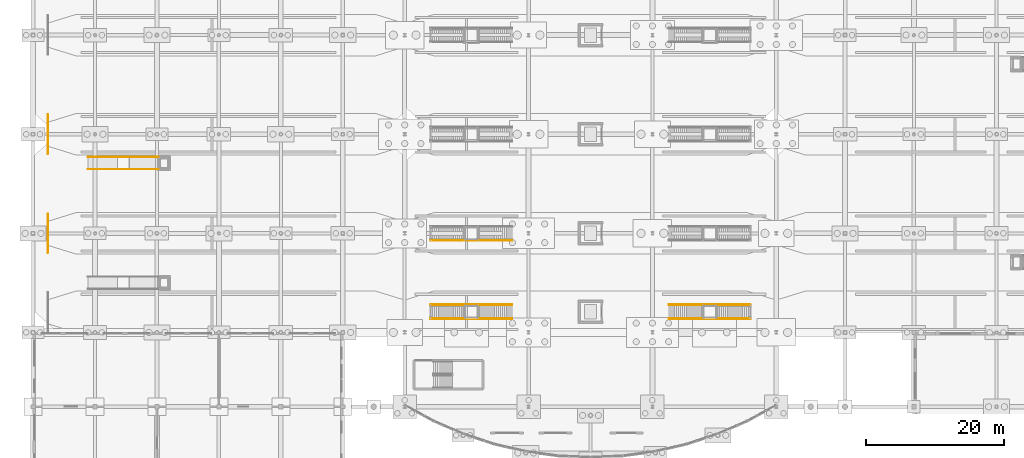
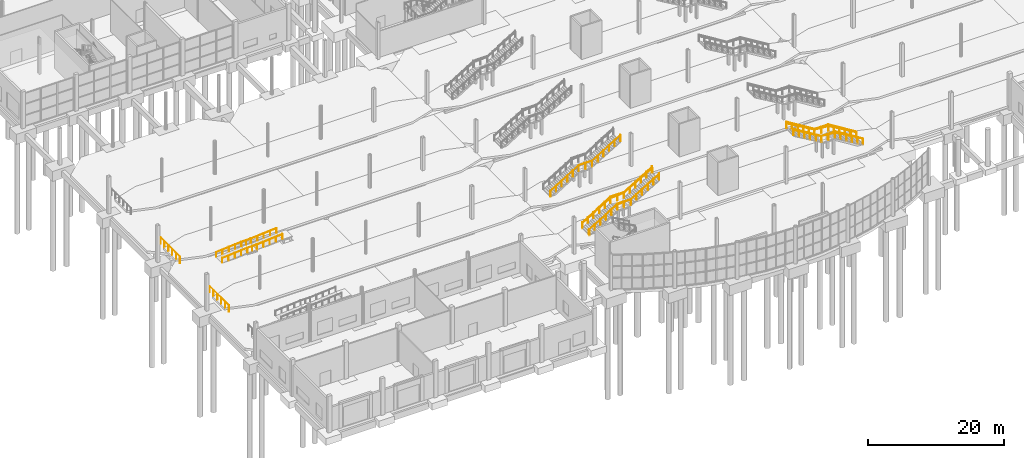
# One storey, part 101 of 115: 13 railings.
"""IFC4 building model written with IfcOpenShell, lengths in metres."""

from ifc_helpers import new_model, si_unit, direction, frame, origin, origin_2d, place, context, subcontext, project, spatial, circle, extrude, material, type_object, element, save


model = new_model("IFC4")

# Units and contexts
model_context = context("Model", 3, precision=1e-05, world=origin(), true_north=direction((0.0, 1.0)))
body_context = subcontext(model_context, "Body", "Model", "MODEL_VIEW")
ifc_project = project(units=[si_unit("LENGTHUNIT", "METRE"), si_unit("AREAUNIT", "SQUARE_METRE"), si_unit("VOLUMEUNIT", "CUBIC_METRE"), si_unit("PLANEANGLEUNIT", "RADIAN"), si_unit("MASSUNIT", "GRAM", prefix="KILO")], contexts=[model_context])

# Site, building, storey
site_placement = place(None, origin())
site = spatial("IfcSite", under=ifc_project, at=site_placement, CompositionType="ELEMENT")
building_placement = place(site_placement, origin())
building = spatial("IfcBuilding", under=site, at=building_placement, Name="Tamarisk Ironworks Central Station", CompositionType="ELEMENT")
storey_placement = place(building_placement, origin())
storey = spatial("IfcBuildingStorey", under=building, at=storey_placement, Name="L00", CompositionType="ELEMENT", Elevation=0.0)

# Railings
ifc_material = material(Name="Brushed stainless steel AISI 316", Category="steel")
railing_type_1 = type_object("IfcRailingType", Name="RL-GUARD-INT", PredefinedType="BALUSTRADE", material=ifc_material)
railing_1_placement = place(storey_placement, frame((57.760009765625, 23.56005859375, 0.719970703125)))
element("IfcRailing", 1, at=railing_1_placement, inside=storey, type_object=railing_type_1, Name="ST-P1A flight guard S", PredefinedType="BALUSTRADE", context=body_context, shape_type="SweptSolid", body=[
    extrude(circle(Radius=0.02392578125, at=origin_2d()), frame((0.0, 0.0, 1.09619140625), z_axis=(0.850803161698, 0.0, 0.525484519319), x_axis=(0.0, 1.0, 0.0)), (0.0, 0.0, 1.0), 5.5947265625),
    extrude(circle(Radius=0.02392578125, at=origin_2d()), frame((4.760009765625, 0.0, 4.0361328125), z_axis=(1.0, 0.0, 0.0), x_axis=(0.0, 1.0, 0.0)), (0.0, 0.0, 1.0), 2.320068359375),
    extrude(circle(Radius=0.02392578125, at=origin_2d()), frame((7.080078125, 0.0, 4.0361328125), z_axis=(0.850783651871, 0.0, 0.525516106041), x_axis=(0.0, 1.0, 0.0)), (0.0, 0.0, 1.0), 5.594970703125),
    extrude(circle(Radius=0.02099609375, at=origin_2d()), origin(), (0.0, 0.0, 1.0), 1.072021484375),
    extrude(circle(Radius=0.02099609375, at=origin_2d()), frame((0.951904296875, 0.0, 0.587890625)), (0.0, 0.0, 1.0), 1.072021484375),
    extrude(circle(Radius=0.02099609375, at=origin_2d()), frame((1.904052734375, 0.0, 1.176025390625)), (0.0, 0.0, 1.0), 1.072021484375),
    extrude(circle(Radius=0.02099609375, at=origin_2d()), frame((2.85595703125, 0.0, 1.763916015625)), (0.0, 0.0, 1.0), 1.072021484375),
    extrude(circle(Radius=0.02099609375, at=origin_2d()), frame((3.80810546875, 0.0, 2.35205078125)), (0.0, 0.0, 1.0), 1.072021484375),
    extrude(circle(Radius=0.02099609375, at=origin_2d()), frame((4.760009765625, 0.0, 2.93994140625)), (0.0, 0.0, 1.0), 1.072021484375),
    extrude(circle(Radius=0.02099609375, at=origin_2d()), frame((5.919921875, 0.0, 2.93994140625)), (0.0, 0.0, 1.0), 1.072021484375),
    extrude(circle(Radius=0.02099609375, at=origin_2d()), frame((7.080078125, 0.0, 2.93994140625)), (0.0, 0.0, 1.0), 1.072021484375),
    extrude(circle(Radius=0.02099609375, at=origin_2d()), frame((8.031982421875, 0.0, 3.528076171875)), (0.0, 0.0, 1.0), 1.072021484375),
    extrude(circle(Radius=0.02099609375, at=origin_2d()), frame((8.984130859375, 0.0, 4.115966796875)), (0.0, 0.0, 1.0), 1.072021484375),
    extrude(circle(Radius=0.02099609375, at=origin_2d()), frame((9.93603515625, 0.0, 4.7041015625)), (0.0, 0.0, 1.0), 1.072021484375),
    extrude(circle(Radius=0.02099609375, at=origin_2d()), frame((10.88818359375, 0.0, 5.2919921875)), (0.0, 0.0, 1.0), 1.072021484375),
    extrude(circle(Radius=0.02099609375, at=origin_2d()), frame((11.840087890625, 0.0, 5.880126953125)), (0.0, 0.0, 1.0), 1.072021484375),
])
railing_2_placement = place(storey_placement, frame((57.760009765625, 25.639892578125, 0.719970703125)))
element("IfcRailing", 2, at=railing_2_placement, inside=storey, type_object=railing_type_1, Name="ST-P1A flight guard N", PredefinedType="BALUSTRADE", context=body_context, shape_type="SweptSolid", body=[
    extrude(circle(Radius=0.02392578125, at=origin_2d()), frame((0.0, 0.0, 1.09619140625), z_axis=(0.850803161698, 0.0, 0.525484519319), x_axis=(0.0, 1.0, 0.0)), (0.0, 0.0, 1.0), 5.5947265625),
    extrude(circle(Radius=0.02392578125, at=origin_2d()), frame((4.760009765625, 0.0, 4.0361328125), z_axis=(1.0, 0.0, 0.0), x_axis=(0.0, 1.0, 0.0)), (0.0, 0.0, 1.0), 2.320068359375),
    extrude(circle(Radius=0.02392578125, at=origin_2d()), frame((7.080078125, 0.0, 4.0361328125), z_axis=(0.850783651871, 0.0, 0.525516106041), x_axis=(0.0, 1.0, 0.0)), (0.0, 0.0, 1.0), 5.594970703125),
    extrude(circle(Radius=0.02099609375, at=origin_2d()), origin(), (0.0, 0.0, 1.0), 1.072021484375),
    extrude(circle(Radius=0.02099609375, at=origin_2d()), frame((0.951904296875, 0.0, 0.587890625)), (0.0, 0.0, 1.0), 1.072021484375),
    extrude(circle(Radius=0.02099609375, at=origin_2d()), frame((1.904052734375, 0.0, 1.176025390625)), (0.0, 0.0, 1.0), 1.072021484375),
    extrude(circle(Radius=0.02099609375, at=origin_2d()), frame((2.85595703125, 0.0, 1.763916015625)), (0.0, 0.0, 1.0), 1.072021484375),
    extrude(circle(Radius=0.02099609375, at=origin_2d()), frame((3.80810546875, 0.0, 2.35205078125)), (0.0, 0.0, 1.0), 1.072021484375),
    extrude(circle(Radius=0.02099609375, at=origin_2d()), frame((4.760009765625, 0.0, 2.93994140625)), (0.0, 0.0, 1.0), 1.072021484375),
    extrude(circle(Radius=0.02099609375, at=origin_2d()), frame((5.919921875, 0.0, 2.93994140625)), (0.0, 0.0, 1.0), 1.072021484375),
    extrude(circle(Radius=0.02099609375, at=origin_2d()), frame((7.080078125, 0.0, 2.93994140625)), (0.0, 0.0, 1.0), 1.072021484375),
    extrude(circle(Radius=0.02099609375, at=origin_2d()), frame((8.031982421875, 0.0, 3.528076171875)), (0.0, 0.0, 1.0), 1.072021484375),
    extrude(circle(Radius=0.02099609375, at=origin_2d()), frame((8.984130859375, 0.0, 4.115966796875)), (0.0, 0.0, 1.0), 1.072021484375),
    extrude(circle(Radius=0.02099609375, at=origin_2d()), frame((9.93603515625, 0.0, 4.7041015625)), (0.0, 0.0, 1.0), 1.072021484375),
    extrude(circle(Radius=0.02099609375, at=origin_2d()), frame((10.88818359375, 0.0, 5.2919921875)), (0.0, 0.0, 1.0), 1.072021484375),
    extrude(circle(Radius=0.02099609375, at=origin_2d()), frame((11.840087890625, 0.0, 5.880126953125)), (0.0, 0.0, 1.0), 1.072021484375),
])
railing_3_placement = place(storey_placement, frame((104.239990234375, 23.56005859375, 0.719970703125)))
element("IfcRailing", 3, at=railing_3_placement, inside=storey, type_object=railing_type_1, Name="ST-P1B flight guard S", PredefinedType="BALUSTRADE", context=body_context, shape_type="SweptSolid", body=[
    extrude(circle(Radius=0.02392578125, at=origin_2d()), frame((0.0, 0.0, 1.09619140625), z_axis=(-0.850803161698, 0.0, 0.525484519319), x_axis=(0.0, -1.0, 0.0)), (0.0, 0.0, 1.0), 5.5947265625),
    extrude(circle(Radius=0.02392578125, at=origin_2d()), frame((-4.760009765625, 0.0, 4.0361328125), z_axis=(-1.0, 0.0, 0.0), x_axis=(0.0, -1.0, 0.0)), (0.0, 0.0, 1.0), 2.320068359375),
    extrude(circle(Radius=0.02392578125, at=origin_2d()), frame((-7.080078125, 0.0, 4.0361328125), z_axis=(-0.850783651871, 0.0, 0.525516106041), x_axis=(0.0, -1.0, 0.0)), (0.0, 0.0, 1.0), 5.594970703125),
    extrude(circle(Radius=0.02099609375, at=origin_2d()), origin(), (0.0, 0.0, 1.0), 1.072021484375),
    extrude(circle(Radius=0.02099609375, at=origin_2d()), frame((-0.951904296875, 0.0, 0.587890625)), (0.0, 0.0, 1.0), 1.072021484375),
    extrude(circle(Radius=0.02099609375, at=origin_2d()), frame((-1.904052734375, 0.0, 1.176025390625)), (0.0, 0.0, 1.0), 1.072021484375),
    extrude(circle(Radius=0.02099609375, at=origin_2d()), frame((-2.85595703125, 0.0, 1.763916015625)), (0.0, 0.0, 1.0), 1.072021484375),
    extrude(circle(Radius=0.02099609375, at=origin_2d()), frame((-3.80810546875, 0.0, 2.35205078125)), (0.0, 0.0, 1.0), 1.072021484375),
    extrude(circle(Radius=0.02099609375, at=origin_2d()), frame((-4.760009765625, 0.0, 2.93994140625)), (0.0, 0.0, 1.0), 1.072021484375),
    extrude(circle(Radius=0.02099609375, at=origin_2d()), frame((-5.919921875, 0.0, 2.93994140625)), (0.0, 0.0, 1.0), 1.072021484375),
    extrude(circle(Radius=0.02099609375, at=origin_2d()), frame((-7.080078125, 0.0, 2.93994140625)), (0.0, 0.0, 1.0), 1.072021484375),
    extrude(circle(Radius=0.02099609375, at=origin_2d()), frame((-8.031982421875, 0.0, 3.528076171875)), (0.0, 0.0, 1.0), 1.072021484375),
    extrude(circle(Radius=0.02099609375, at=origin_2d()), frame((-8.984130859375, 0.0, 4.115966796875)), (0.0, 0.0, 1.0), 1.072021484375),
    extrude(circle(Radius=0.02099609375, at=origin_2d()), frame((-9.93603515625, 0.0, 4.7041015625)), (0.0, 0.0, 1.0), 1.072021484375),
    extrude(circle(Radius=0.02099609375, at=origin_2d()), frame((-10.88818359375, 0.0, 5.2919921875)), (0.0, 0.0, 1.0), 1.072021484375),
    extrude(circle(Radius=0.02099609375, at=origin_2d()), frame((-11.840087890625, 0.0, 5.880126953125)), (0.0, 0.0, 1.0), 1.072021484375),
])
railing_4_placement = place(storey_placement, frame((104.239990234375, 25.639892578125, 0.719970703125)))
element("IfcRailing", 4, at=railing_4_placement, inside=storey, type_object=railing_type_1, Name="ST-P1B flight guard N", PredefinedType="BALUSTRADE", context=body_context, shape_type="SweptSolid", body=[
    extrude(circle(Radius=0.02392578125, at=origin_2d()), frame((0.0, 0.0, 1.09619140625), z_axis=(-0.850803161698, 0.0, 0.525484519319), x_axis=(0.0, -1.0, 0.0)), (0.0, 0.0, 1.0), 5.5947265625),
    extrude(circle(Radius=0.02392578125, at=origin_2d()), frame((-4.760009765625, 0.0, 4.0361328125), z_axis=(-1.0, 0.0, 0.0), x_axis=(0.0, -1.0, 0.0)), (0.0, 0.0, 1.0), 2.320068359375),
    extrude(circle(Radius=0.02392578125, at=origin_2d()), frame((-7.080078125, 0.0, 4.0361328125), z_axis=(-0.850783651871, 0.0, 0.525516106041), x_axis=(0.0, -1.0, 0.0)), (0.0, 0.0, 1.0), 5.594970703125),
    extrude(circle(Radius=0.02099609375, at=origin_2d()), origin(), (0.0, 0.0, 1.0), 1.072021484375),
    extrude(circle(Radius=0.02099609375, at=origin_2d()), frame((-0.951904296875, 0.0, 0.587890625)), (0.0, 0.0, 1.0), 1.072021484375),
    extrude(circle(Radius=0.02099609375, at=origin_2d()), frame((-1.904052734375, 0.0, 1.176025390625)), (0.0, 0.0, 1.0), 1.072021484375),
    extrude(circle(Radius=0.02099609375, at=origin_2d()), frame((-2.85595703125, 0.0, 1.763916015625)), (0.0, 0.0, 1.0), 1.072021484375),
    extrude(circle(Radius=0.02099609375, at=origin_2d()), frame((-3.80810546875, 0.0, 2.35205078125)), (0.0, 0.0, 1.0), 1.072021484375),
    extrude(circle(Radius=0.02099609375, at=origin_2d()), frame((-4.760009765625, 0.0, 2.93994140625)), (0.0, 0.0, 1.0), 1.072021484375),
    extrude(circle(Radius=0.02099609375, at=origin_2d()), frame((-5.919921875, 0.0, 2.93994140625)), (0.0, 0.0, 1.0), 1.072021484375),
    extrude(circle(Radius=0.02099609375, at=origin_2d()), frame((-7.080078125, 0.0, 2.93994140625)), (0.0, 0.0, 1.0), 1.072021484375),
    extrude(circle(Radius=0.02099609375, at=origin_2d()), frame((-8.031982421875, 0.0, 3.528076171875)), (0.0, 0.0, 1.0), 1.072021484375),
    extrude(circle(Radius=0.02099609375, at=origin_2d()), frame((-8.984130859375, 0.0, 4.115966796875)), (0.0, 0.0, 1.0), 1.072021484375),
    extrude(circle(Radius=0.02099609375, at=origin_2d()), frame((-9.93603515625, 0.0, 4.7041015625)), (0.0, 0.0, 1.0), 1.072021484375),
    extrude(circle(Radius=0.02099609375, at=origin_2d()), frame((-10.88818359375, 0.0, 5.2919921875)), (0.0, 0.0, 1.0), 1.072021484375),
    extrude(circle(Radius=0.02099609375, at=origin_2d()), frame((-11.840087890625, 0.0, 5.880126953125)), (0.0, 0.0, 1.0), 1.072021484375),
])
railing_5_placement = place(storey_placement, frame((57.760009765625, 34.9599609375, 0.719970703125)))
element("IfcRailing", 5, at=railing_5_placement, inside=storey, type_object=railing_type_1, Name="ST-P2A flight guard S", PredefinedType="BALUSTRADE", context=body_context, shape_type="SweptSolid", body=[
    extrude(circle(Radius=0.02392578125, at=origin_2d()), frame((0.0, 0.0, 1.09619140625), z_axis=(0.850803161698, 0.0, 0.525484519319), x_axis=(0.0, 1.0, 0.0)), (0.0, 0.0, 1.0), 5.5947265625),
    extrude(circle(Radius=0.02392578125, at=origin_2d()), frame((4.760009765625, 0.0, 4.0361328125), z_axis=(1.0, 0.0, 0.0), x_axis=(0.0, 1.0, 0.0)), (0.0, 0.0, 1.0), 2.320068359375),
    extrude(circle(Radius=0.02392578125, at=origin_2d()), frame((7.080078125, 0.0, 4.0361328125), z_axis=(0.850783651871, 0.0, 0.525516106041), x_axis=(0.0, 1.0, 0.0)), (0.0, 0.0, 1.0), 5.594970703125),
    extrude(circle(Radius=0.02099609375, at=origin_2d()), origin(), (0.0, 0.0, 1.0), 1.072021484375),
    extrude(circle(Radius=0.02099609375, at=origin_2d()), frame((0.951904296875, 0.0, 0.587890625)), (0.0, 0.0, 1.0), 1.072021484375),
    extrude(circle(Radius=0.02099609375, at=origin_2d()), frame((1.904052734375, 0.0, 1.176025390625)), (0.0, 0.0, 1.0), 1.072021484375),
    extrude(circle(Radius=0.02099609375, at=origin_2d()), frame((2.85595703125, 0.0, 1.763916015625)), (0.0, 0.0, 1.0), 1.072021484375),
    extrude(circle(Radius=0.02099609375, at=origin_2d()), frame((3.80810546875, 0.0, 2.35205078125)), (0.0, 0.0, 1.0), 1.072021484375),
    extrude(circle(Radius=0.02099609375, at=origin_2d()), frame((4.760009765625, 0.0, 2.93994140625)), (0.0, 0.0, 1.0), 1.072021484375),
    extrude(circle(Radius=0.02099609375, at=origin_2d()), frame((5.919921875, 0.0, 2.93994140625)), (0.0, 0.0, 1.0), 1.072021484375),
    extrude(circle(Radius=0.02099609375, at=origin_2d()), frame((7.080078125, 0.0, 2.93994140625)), (0.0, 0.0, 1.0), 1.072021484375),
    extrude(circle(Radius=0.02099609375, at=origin_2d()), frame((8.031982421875, 0.0, 3.528076171875)), (0.0, 0.0, 1.0), 1.072021484375),
    extrude(circle(Radius=0.02099609375, at=origin_2d()), frame((8.984130859375, 0.0, 4.115966796875)), (0.0, 0.0, 1.0), 1.072021484375),
    extrude(circle(Radius=0.02099609375, at=origin_2d()), frame((9.93603515625, 0.0, 4.7041015625)), (0.0, 0.0, 1.0), 1.072021484375),
    extrude(circle(Radius=0.02099609375, at=origin_2d()), frame((10.88818359375, 0.0, 5.2919921875)), (0.0, 0.0, 1.0), 1.072021484375),
    extrude(circle(Radius=0.02099609375, at=origin_2d()), frame((11.840087890625, 0.0, 5.880126953125)), (0.0, 0.0, 1.0), 1.072021484375),
])
railing_6_placement = place(storey_placement, frame((2.14990234375, 33.14990234375, 0.719970703125)))
element("IfcRailing", 6, at=railing_6_placement, inside=storey, type_object=railing_type_1, Name="P2 west buffer-end safety guard", PredefinedType="BALUSTRADE", context=body_context, shape_type="SweptSolid", body=[
    extrude(circle(Radius=0.02392578125, at=origin_2d()), frame((0.0, 0.0, 1.09619140625), z_axis=(0.0, 1.0, 0.0), x_axis=(-1.0, 0.0, 0.0)), (0.0, 0.0, 1.0), 5.7001953125),
    extrude(circle(Radius=0.02099609375, at=origin_2d()), origin(), (0.0, 0.0, 1.0), 1.072021484375),
    extrude(circle(Radius=0.02099609375, at=origin_2d()), frame((0.0, 1.14013671875, 0.0)), (0.0, 0.0, 1.0), 1.072021484375),
    extrude(circle(Radius=0.02099609375, at=origin_2d()), frame((0.0, 2.280029296875, 0.0)), (0.0, 0.0, 1.0), 1.072021484375),
    extrude(circle(Radius=0.02099609375, at=origin_2d()), frame((0.0, 3.420166015625, 0.0)), (0.0, 0.0, 1.0), 1.072021484375),
    extrude(circle(Radius=0.02099609375, at=origin_2d()), frame((0.0, 4.56005859375, 0.0)), (0.0, 0.0, 1.0), 1.072021484375),
    extrude(circle(Radius=0.02099609375, at=origin_2d()), frame((0.0, 5.7001953125, 0.0)), (0.0, 0.0, 1.0), 1.072021484375),
])
railing_7_placement = place(storey_placement, frame((2.14990234375, 47.550048828125, 0.719970703125)))
element("IfcRailing", 7, at=railing_7_placement, inside=storey, type_object=railing_type_1, Name="P3 west buffer-end safety guard", PredefinedType="BALUSTRADE", context=body_context, shape_type="SweptSolid", body=[
    extrude(circle(Radius=0.02392578125, at=origin_2d()), frame((0.0, 0.0, 1.09619140625), z_axis=(0.0, 1.0, 0.0), x_axis=(-1.0, 0.0, 0.0)), (0.0, 0.0, 1.0), 5.699951171875),
    extrude(circle(Radius=0.02099609375, at=origin_2d()), origin(), (0.0, 0.0, 1.0), 1.072021484375),
    extrude(circle(Radius=0.02099609375, at=origin_2d()), frame((0.0, 1.139892578125, 0.0)), (0.0, 0.0, 1.0), 1.072021484375),
    extrude(circle(Radius=0.02099609375, at=origin_2d()), frame((0.0, 2.280029296875, 0.0)), (0.0, 0.0, 1.0), 1.072021484375),
    extrude(circle(Radius=0.02099609375, at=origin_2d()), frame((0.0, 3.419921875, 0.0)), (0.0, 0.0, 1.0), 1.072021484375),
    extrude(circle(Radius=0.02099609375, at=origin_2d()), frame((0.0, 4.56005859375, 0.0)), (0.0, 0.0, 1.0), 1.072021484375),
    extrude(circle(Radius=0.02099609375, at=origin_2d()), frame((0.0, 5.699951171875, 0.0)), (0.0, 0.0, 1.0), 1.072021484375),
])
railing_type_2 = type_object("IfcRailingType", Name="RL-HAND", PredefinedType="HANDRAIL", material=ifc_material)
railing_8_placement = place(storey_placement, frame((57.760009765625, 23.639892578125, 0.88330078125)))
element("IfcRailing", 8, at=railing_8_placement, inside=storey, type_object=railing_type_2, Name="ST-P1A handrail S", PredefinedType="HANDRAIL", context=body_context, shape_type="SweptSolid", body=[
    extrude(circle(Radius=0.02392578125, at=origin_2d()), frame((0.0, 0.0, 0.8759765625), z_axis=(0.863783721438, 0.0, 0.503862761651), x_axis=(0.0, 1.0, 0.0)), (0.0, 0.0, 1.0), 5.5107421875),
    extrude(circle(Radius=0.02392578125, at=origin_2d()), frame((4.760009765625, 0.0, 3.65234375), z_axis=(0.997531175799, 0.0, 0.070225019111), x_axis=(0.0, 1.0, 0.0)), (0.0, 0.0, 1.0), 2.325927734375),
    extrude(circle(Radius=0.02392578125, at=origin_2d()), frame((7.080078125, 0.0, 3.81591796875), z_axis=(0.863764439128, 0.0, 0.503895816313), x_axis=(0.0, 1.0, 0.0)), (0.0, 0.0, 1.0), 5.5107421875),
    extrude(circle(Radius=0.02099609375, at=origin_2d()), origin(), (0.0, 0.0, 1.0), 0.851806640625),
    extrude(circle(Radius=0.02099609375, at=origin_2d()), frame((0.951904296875, 0.0, 0.555419921875)), (0.0, 0.0, 1.0), 0.851806640625),
    extrude(circle(Radius=0.02099609375, at=origin_2d()), frame((1.904052734375, 0.0, 1.110595703125)), (0.0, 0.0, 1.0), 0.851806640625),
    extrude(circle(Radius=0.02099609375, at=origin_2d()), frame((2.85595703125, 0.0, 1.666015625)), (0.0, 0.0, 1.0), 0.851806640625),
    extrude(circle(Radius=0.02099609375, at=origin_2d()), frame((3.80810546875, 0.0, 2.22119140625)), (0.0, 0.0, 1.0), 0.851806640625),
    extrude(circle(Radius=0.02099609375, at=origin_2d()), frame((4.760009765625, 0.0, 2.776611328125)), (0.0, 0.0, 1.0), 0.851806640625),
    extrude(circle(Radius=0.02099609375, at=origin_2d()), frame((5.919921875, 0.0, 2.8583984375)), (0.0, 0.0, 1.0), 0.851806640625),
    extrude(circle(Radius=0.02099609375, at=origin_2d()), frame((7.080078125, 0.0, 2.93994140625)), (0.0, 0.0, 1.0), 0.851806640625),
    extrude(circle(Radius=0.02099609375, at=origin_2d()), frame((8.031982421875, 0.0, 3.495361328125)), (0.0, 0.0, 1.0), 0.851806640625),
    extrude(circle(Radius=0.02099609375, at=origin_2d()), frame((8.984130859375, 0.0, 4.05078125)), (0.0, 0.0, 1.0), 0.851806640625),
    extrude(circle(Radius=0.02099609375, at=origin_2d()), frame((9.93603515625, 0.0, 4.60595703125)), (0.0, 0.0, 1.0), 0.851806640625),
    extrude(circle(Radius=0.02099609375, at=origin_2d()), frame((10.88818359375, 0.0, 5.161376953125)), (0.0, 0.0, 1.0), 0.851806640625),
    extrude(circle(Radius=0.02099609375, at=origin_2d()), frame((11.840087890625, 0.0, 5.716796875)), (0.0, 0.0, 1.0), 0.851806640625),
])
railing_9_placement = place(storey_placement, frame((57.760009765625, 25.56005859375, 0.88330078125)))
element("IfcRailing", 9, at=railing_9_placement, inside=storey, type_object=railing_type_2, Name="ST-P1A handrail N", PredefinedType="HANDRAIL", context=body_context, shape_type="SweptSolid", body=[
    extrude(circle(Radius=0.02392578125, at=origin_2d()), frame((0.0, 0.0, 0.8759765625), z_axis=(0.863783721438, 0.0, 0.503862761651), x_axis=(0.0, 1.0, 0.0)), (0.0, 0.0, 1.0), 5.5107421875),
    extrude(circle(Radius=0.02392578125, at=origin_2d()), frame((4.760009765625, 0.0, 3.65234375), z_axis=(0.997531175799, 0.0, 0.070225019111), x_axis=(0.0, 1.0, 0.0)), (0.0, 0.0, 1.0), 2.325927734375),
    extrude(circle(Radius=0.02392578125, at=origin_2d()), frame((7.080078125, 0.0, 3.81591796875), z_axis=(0.863764439128, 0.0, 0.503895816313), x_axis=(0.0, 1.0, 0.0)), (0.0, 0.0, 1.0), 5.5107421875),
    extrude(circle(Radius=0.02099609375, at=origin_2d()), origin(), (0.0, 0.0, 1.0), 0.851806640625),
    extrude(circle(Radius=0.02099609375, at=origin_2d()), frame((0.951904296875, 0.0, 0.555419921875)), (0.0, 0.0, 1.0), 0.851806640625),
    extrude(circle(Radius=0.02099609375, at=origin_2d()), frame((1.904052734375, 0.0, 1.110595703125)), (0.0, 0.0, 1.0), 0.851806640625),
    extrude(circle(Radius=0.02099609375, at=origin_2d()), frame((2.85595703125, 0.0, 1.666015625)), (0.0, 0.0, 1.0), 0.851806640625),
    extrude(circle(Radius=0.02099609375, at=origin_2d()), frame((3.80810546875, 0.0, 2.22119140625)), (0.0, 0.0, 1.0), 0.851806640625),
    extrude(circle(Radius=0.02099609375, at=origin_2d()), frame((4.760009765625, 0.0, 2.776611328125)), (0.0, 0.0, 1.0), 0.851806640625),
    extrude(circle(Radius=0.02099609375, at=origin_2d()), frame((5.919921875, 0.0, 2.8583984375)), (0.0, 0.0, 1.0), 0.851806640625),
    extrude(circle(Radius=0.02099609375, at=origin_2d()), frame((7.080078125, 0.0, 2.93994140625)), (0.0, 0.0, 1.0), 0.851806640625),
    extrude(circle(Radius=0.02099609375, at=origin_2d()), frame((8.031982421875, 0.0, 3.495361328125)), (0.0, 0.0, 1.0), 0.851806640625),
    extrude(circle(Radius=0.02099609375, at=origin_2d()), frame((8.984130859375, 0.0, 4.05078125)), (0.0, 0.0, 1.0), 0.851806640625),
    extrude(circle(Radius=0.02099609375, at=origin_2d()), frame((9.93603515625, 0.0, 4.60595703125)), (0.0, 0.0, 1.0), 0.851806640625),
    extrude(circle(Radius=0.02099609375, at=origin_2d()), frame((10.88818359375, 0.0, 5.161376953125)), (0.0, 0.0, 1.0), 0.851806640625),
    extrude(circle(Radius=0.02099609375, at=origin_2d()), frame((11.840087890625, 0.0, 5.716796875)), (0.0, 0.0, 1.0), 0.851806640625),
])
railing_10_placement = place(storey_placement, frame((104.239990234375, 23.639892578125, 0.88330078125)))
element("IfcRailing", 10, at=railing_10_placement, inside=storey, type_object=railing_type_2, Name="ST-P1B handrail S", PredefinedType="HANDRAIL", context=body_context, shape_type="SweptSolid", body=[
    extrude(circle(Radius=0.02392578125, at=origin_2d()), frame((0.0, 0.0, 0.8759765625), z_axis=(-0.863783721438, 0.0, 0.503862761651), x_axis=(0.0, -1.0, 0.0)), (0.0, 0.0, 1.0), 5.5107421875),
    extrude(circle(Radius=0.02392578125, at=origin_2d()), frame((-4.760009765625, 0.0, 3.65234375), z_axis=(-0.997531175799, 0.0, 0.070225019111), x_axis=(0.0, -1.0, 0.0)), (0.0, 0.0, 1.0), 2.325927734375),
    extrude(circle(Radius=0.02392578125, at=origin_2d()), frame((-7.080078125, 0.0, 3.81591796875), z_axis=(-0.863764439128, 0.0, 0.503895816313), x_axis=(0.0, -1.0, 0.0)), (0.0, 0.0, 1.0), 5.5107421875),
    extrude(circle(Radius=0.02099609375, at=origin_2d()), origin(), (0.0, 0.0, 1.0), 0.851806640625),
    extrude(circle(Radius=0.02099609375, at=origin_2d()), frame((-0.951904296875, 0.0, 0.555419921875)), (0.0, 0.0, 1.0), 0.851806640625),
    extrude(circle(Radius=0.02099609375, at=origin_2d()), frame((-1.904052734375, 0.0, 1.110595703125)), (0.0, 0.0, 1.0), 0.851806640625),
    extrude(circle(Radius=0.02099609375, at=origin_2d()), frame((-2.85595703125, 0.0, 1.666015625)), (0.0, 0.0, 1.0), 0.851806640625),
    extrude(circle(Radius=0.02099609375, at=origin_2d()), frame((-3.80810546875, 0.0, 2.22119140625)), (0.0, 0.0, 1.0), 0.851806640625),
    extrude(circle(Radius=0.02099609375, at=origin_2d()), frame((-4.760009765625, 0.0, 2.776611328125)), (0.0, 0.0, 1.0), 0.851806640625),
    extrude(circle(Radius=0.02099609375, at=origin_2d()), frame((-5.919921875, 0.0, 2.8583984375)), (0.0, 0.0, 1.0), 0.851806640625),
    extrude(circle(Radius=0.02099609375, at=origin_2d()), frame((-7.080078125, 0.0, 2.93994140625)), (0.0, 0.0, 1.0), 0.851806640625),
    extrude(circle(Radius=0.02099609375, at=origin_2d()), frame((-8.031982421875, 0.0, 3.495361328125)), (0.0, 0.0, 1.0), 0.851806640625),
    extrude(circle(Radius=0.02099609375, at=origin_2d()), frame((-8.984130859375, 0.0, 4.05078125)), (0.0, 0.0, 1.0), 0.851806640625),
    extrude(circle(Radius=0.02099609375, at=origin_2d()), frame((-9.93603515625, 0.0, 4.60595703125)), (0.0, 0.0, 1.0), 0.851806640625),
    extrude(circle(Radius=0.02099609375, at=origin_2d()), frame((-10.88818359375, 0.0, 5.161376953125)), (0.0, 0.0, 1.0), 0.851806640625),
    extrude(circle(Radius=0.02099609375, at=origin_2d()), frame((-11.840087890625, 0.0, 5.716796875)), (0.0, 0.0, 1.0), 0.851806640625),
])
railing_11_placement = place(storey_placement, frame((104.239990234375, 25.56005859375, 0.88330078125)))
element("IfcRailing", 11, at=railing_11_placement, inside=storey, type_object=railing_type_2, Name="ST-P1B handrail N", PredefinedType="HANDRAIL", context=body_context, shape_type="SweptSolid", body=[
    extrude(circle(Radius=0.02392578125, at=origin_2d()), frame((0.0, 0.0, 0.8759765625), z_axis=(-0.863783721438, 0.0, 0.503862761651), x_axis=(0.0, -1.0, 0.0)), (0.0, 0.0, 1.0), 5.5107421875),
    extrude(circle(Radius=0.02392578125, at=origin_2d()), frame((-4.760009765625, 0.0, 3.65234375), z_axis=(-0.997531175799, 0.0, 0.070225019111), x_axis=(0.0, -1.0, 0.0)), (0.0, 0.0, 1.0), 2.325927734375),
    extrude(circle(Radius=0.02392578125, at=origin_2d()), frame((-7.080078125, 0.0, 3.81591796875), z_axis=(-0.863764439128, 0.0, 0.503895816313), x_axis=(0.0, -1.0, 0.0)), (0.0, 0.0, 1.0), 5.5107421875),
    extrude(circle(Radius=0.02099609375, at=origin_2d()), origin(), (0.0, 0.0, 1.0), 0.851806640625),
    extrude(circle(Radius=0.02099609375, at=origin_2d()), frame((-0.951904296875, 0.0, 0.555419921875)), (0.0, 0.0, 1.0), 0.851806640625),
    extrude(circle(Radius=0.02099609375, at=origin_2d()), frame((-1.904052734375, 0.0, 1.110595703125)), (0.0, 0.0, 1.0), 0.851806640625),
    extrude(circle(Radius=0.02099609375, at=origin_2d()), frame((-2.85595703125, 0.0, 1.666015625)), (0.0, 0.0, 1.0), 0.851806640625),
    extrude(circle(Radius=0.02099609375, at=origin_2d()), frame((-3.80810546875, 0.0, 2.22119140625)), (0.0, 0.0, 1.0), 0.851806640625),
    extrude(circle(Radius=0.02099609375, at=origin_2d()), frame((-4.760009765625, 0.0, 2.776611328125)), (0.0, 0.0, 1.0), 0.851806640625),
    extrude(circle(Radius=0.02099609375, at=origin_2d()), frame((-5.919921875, 0.0, 2.8583984375)), (0.0, 0.0, 1.0), 0.851806640625),
    extrude(circle(Radius=0.02099609375, at=origin_2d()), frame((-7.080078125, 0.0, 2.93994140625)), (0.0, 0.0, 1.0), 0.851806640625),
    extrude(circle(Radius=0.02099609375, at=origin_2d()), frame((-8.031982421875, 0.0, 3.495361328125)), (0.0, 0.0, 1.0), 0.851806640625),
    extrude(circle(Radius=0.02099609375, at=origin_2d()), frame((-8.984130859375, 0.0, 4.05078125)), (0.0, 0.0, 1.0), 0.851806640625),
    extrude(circle(Radius=0.02099609375, at=origin_2d()), frame((-9.93603515625, 0.0, 4.60595703125)), (0.0, 0.0, 1.0), 0.851806640625),
    extrude(circle(Radius=0.02099609375, at=origin_2d()), frame((-10.88818359375, 0.0, 5.161376953125)), (0.0, 0.0, 1.0), 0.851806640625),
    extrude(circle(Radius=0.02099609375, at=origin_2d()), frame((-11.840087890625, 0.0, 5.716796875)), (0.0, 0.0, 1.0), 0.851806640625),
])
railing_type_3 = type_object("IfcRailingType", Name="RL-RAMP", PredefinedType="HANDRAIL", material=ifc_material)
railing_12_placement = place(storey_placement, frame((8.0, 45.320068359375, 0.0)))
element("IfcRailing", 12, at=railing_12_placement, inside=storey, type_object=railing_type_3, Name="RMP-P3W accessible handrail S", PredefinedType="HANDRAIL", context=body_context, shape_type="SweptSolid", body=[
    extrude(circle(Radius=0.02392578125, at=origin_2d()), frame((0.0, 0.0, 0.89599609375), z_axis=(0.996543815979, 0.0, 0.083068783756), x_axis=(0.0, 1.0, 0.0)), (0.0, 0.0, 1.0), 4.3349609375),
    extrude(circle(Radius=0.02392578125, at=origin_2d()), frame((4.320068359375, 0.0, 1.255859375), z_axis=(1.0, 0.0, 0.0), x_axis=(0.0, 1.0, 0.0)), (0.0, 0.0, 1.0), 1.599853515625),
    extrude(circle(Radius=0.02392578125, at=origin_2d()), frame((5.919921875, 0.0, 1.255859375), z_axis=(0.996548476515, 0.0, 0.083012854161), x_axis=(0.0, 1.0, 0.0)), (0.0, 0.0, 1.0), 4.3349609375),
    extrude(circle(Radius=0.02099609375, at=origin_2d()), origin(), (0.0, 0.0, 1.0), 0.871826171875),
    extrude(circle(Radius=0.02099609375, at=origin_2d()), frame((1.080078125, 0.0, 0.090087890625)), (0.0, 0.0, 1.0), 0.871826171875),
    extrude(circle(Radius=0.02099609375, at=origin_2d()), frame((2.16015625, 0.0, 0.18017578125)), (0.0, 0.0, 1.0), 0.871826171875),
    extrude(circle(Radius=0.02099609375, at=origin_2d()), frame((3.239990234375, 0.0, 0.27001953125)), (0.0, 0.0, 1.0), 0.871826171875),
    extrude(circle(Radius=0.02099609375, at=origin_2d()), frame((4.320068359375, 0.0, 0.360107421875)), (0.0, 0.0, 1.0), 0.871826171875),
    extrude(circle(Radius=0.02099609375, at=origin_2d()), frame((5.1201171875, 0.0, 0.360107421875)), (0.0, 0.0, 1.0), 0.871826171875),
    extrude(circle(Radius=0.02099609375, at=origin_2d()), frame((5.919921875, 0.0, 0.360107421875)), (0.0, 0.0, 1.0), 0.871826171875),
    extrude(circle(Radius=0.02099609375, at=origin_2d()), frame((7.0, 0.0, 0.4501953125)), (0.0, 0.0, 1.0), 0.871826171875),
    extrude(circle(Radius=0.02099609375, at=origin_2d()), frame((8.080078125, 0.0, 0.5400390625)), (0.0, 0.0, 1.0), 0.871826171875),
    extrude(circle(Radius=0.02099609375, at=origin_2d()), frame((9.159912109375, 0.0, 0.6298828125)), (0.0, 0.0, 1.0), 0.871826171875),
    extrude(circle(Radius=0.02099609375, at=origin_2d()), frame((10.239990234375, 0.0, 0.719970703125)), (0.0, 0.0, 1.0), 0.871826171875),
])
railing_13_placement = place(storey_placement, frame((8.0, 47.080078125, 0.0)))
element("IfcRailing", 13, at=railing_13_placement, inside=storey, type_object=railing_type_3, Name="RMP-P3W accessible handrail N", PredefinedType="HANDRAIL", context=body_context, shape_type="SweptSolid", body=[
    extrude(circle(Radius=0.02392578125, at=origin_2d()), frame((0.0, 0.0, 0.89599609375), z_axis=(0.996543815979, 0.0, 0.083068783756), x_axis=(0.0, 1.0, 0.0)), (0.0, 0.0, 1.0), 4.3349609375),
    extrude(circle(Radius=0.02392578125, at=origin_2d()), frame((4.320068359375, 0.0, 1.255859375), z_axis=(1.0, 0.0, 0.0), x_axis=(0.0, 1.0, 0.0)), (0.0, 0.0, 1.0), 1.599853515625),
    extrude(circle(Radius=0.02392578125, at=origin_2d()), frame((5.919921875, 0.0, 1.255859375), z_axis=(0.996548476515, 0.0, 0.083012854161), x_axis=(0.0, 1.0, 0.0)), (0.0, 0.0, 1.0), 4.3349609375),
    extrude(circle(Radius=0.02099609375, at=origin_2d()), origin(), (0.0, 0.0, 1.0), 0.871826171875),
    extrude(circle(Radius=0.02099609375, at=origin_2d()), frame((1.080078125, 0.0, 0.090087890625)), (0.0, 0.0, 1.0), 0.871826171875),
    extrude(circle(Radius=0.02099609375, at=origin_2d()), frame((2.16015625, 0.0, 0.18017578125)), (0.0, 0.0, 1.0), 0.871826171875),
    extrude(circle(Radius=0.02099609375, at=origin_2d()), frame((3.239990234375, 0.0, 0.27001953125)), (0.0, 0.0, 1.0), 0.871826171875),
    extrude(circle(Radius=0.02099609375, at=origin_2d()), frame((4.320068359375, 0.0, 0.360107421875)), (0.0, 0.0, 1.0), 0.871826171875),
    extrude(circle(Radius=0.02099609375, at=origin_2d()), frame((5.1201171875, 0.0, 0.360107421875)), (0.0, 0.0, 1.0), 0.871826171875),
    extrude(circle(Radius=0.02099609375, at=origin_2d()), frame((5.919921875, 0.0, 0.360107421875)), (0.0, 0.0, 1.0), 0.871826171875),
    extrude(circle(Radius=0.02099609375, at=origin_2d()), frame((7.0, 0.0, 0.4501953125)), (0.0, 0.0, 1.0), 0.871826171875),
    extrude(circle(Radius=0.02099609375, at=origin_2d()), frame((8.080078125, 0.0, 0.5400390625)), (0.0, 0.0, 1.0), 0.871826171875),
    extrude(circle(Radius=0.02099609375, at=origin_2d()), frame((9.159912109375, 0.0, 0.6298828125)), (0.0, 0.0, 1.0), 0.871826171875),
    extrude(circle(Radius=0.02099609375, at=origin_2d()), frame((10.239990234375, 0.0, 0.719970703125)), (0.0, 0.0, 1.0), 0.871826171875),
])

save(model, "model.ifc")
